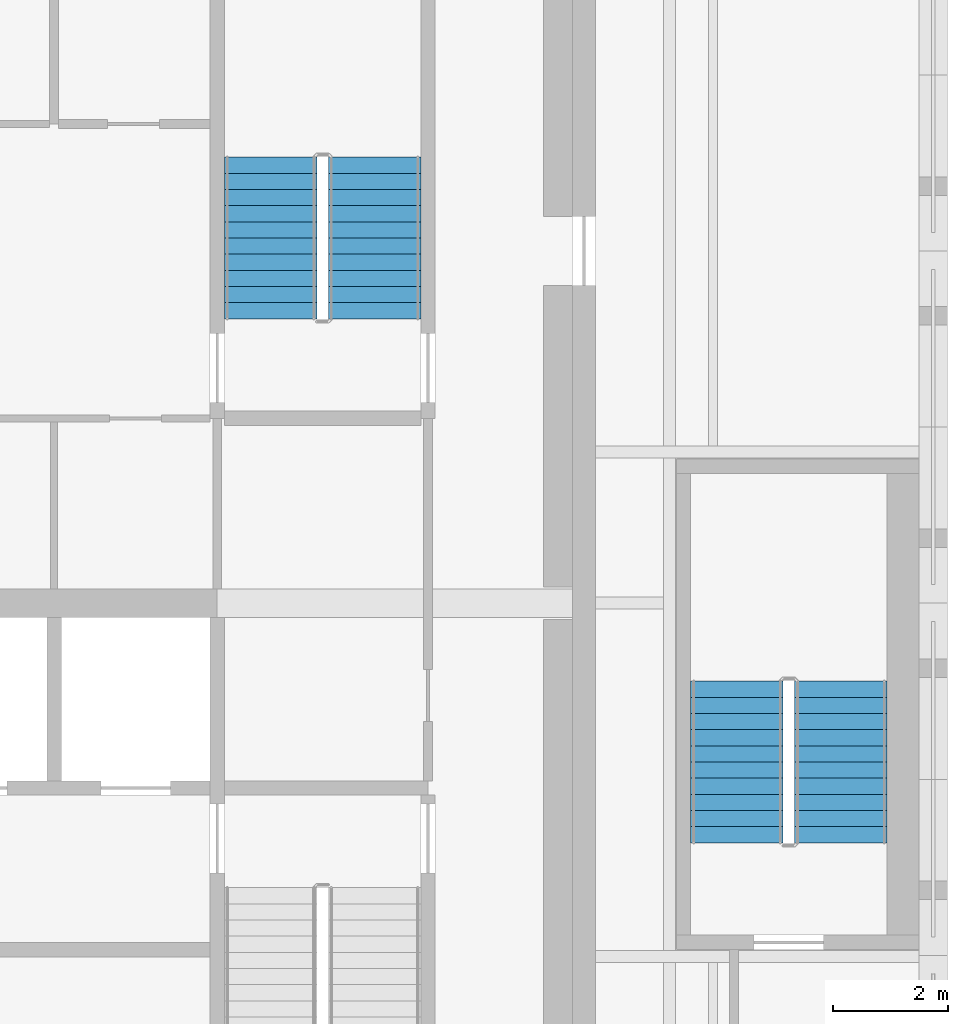
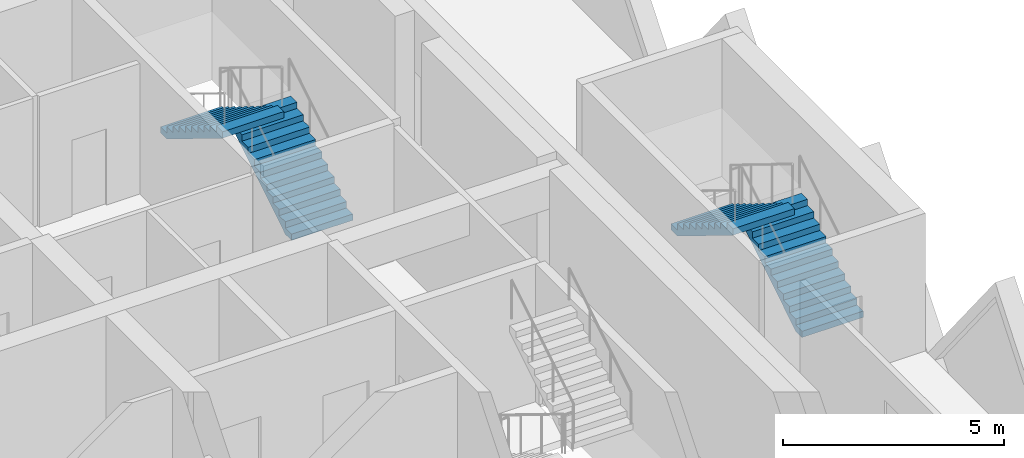
# One storey, part 9 of 10: 4 stair flights, 2 elements without a shape of their own.
"""IFC4 building model written with IfcOpenShell, lengths in metres."""

from ifc_helpers import new_model, si_unit, direction, frame, origin, place, context, subcontext, project, spatial, polyline, outline, extrude, material, type_object, element, aggregate, save


model = new_model("IFC4")

# Units and contexts
model_context = context("Model", 3, precision=1e-05, world=origin(), true_north=direction((0.0, 1.0)))
body_context = subcontext(model_context, "Body", "Model", "MODEL_VIEW")
ifc_project = project(units=[si_unit("LENGTHUNIT", "METRE"), si_unit("AREAUNIT", "SQUARE_METRE"), si_unit("VOLUMEUNIT", "CUBIC_METRE"), si_unit("PLANEANGLEUNIT", "RADIAN"), si_unit("MASSUNIT", "GRAM", prefix="KILO")], contexts=[model_context])

# Site, building, storey
site_placement = place(None, origin())
site = spatial("IfcSite", under=ifc_project, at=site_placement, CompositionType="ELEMENT")
building_placement = place(site_placement, origin())
building = spatial("IfcBuilding", under=site, at=building_placement, Name="Tessera Gate Towers", CompositionType="ELEMENT")
storey_placement = place(building_placement, frame((0.0, 0.0, 252.10009765625)))
storey = spatial("IfcBuildingStorey", under=building, at=storey_placement, Name="L63", CompositionType="ELEMENT", Elevation=252.10009765625)

# Stair, stair flights
ifc_material_1 = material(Name="Concrete C40/50", Category="concrete")
stair_type_1 = type_object("IfcStairType", Name="EXIT STAIR ST2 1600", PredefinedType="HALF_TURN_STAIR", material=ifc_material_1)
stair_1_placement = place(storey_placement, origin())
stair_1 = element("IfcStair", 1, at=stair_1_placement, inside=storey, type_object=stair_type_1, Name="L63 Protected Exit Stair ST2", PredefinedType="HALF_TURN_STAIR")
ifc_material_2 = material(Name="Concrete C40/50", Category="concrete")
stair_flight_type_1 = type_object("IfcStairFlightType", Name="EXIT STAIR FLIGHT ST2 1600", PredefinedType="STRAIGHT", material=ifc_material_2)
stair_flight_1_placement = place(storey_placement, frame((51.074951171875, 41.52490234375, 0.0), z_axis=(0.0, 0.0, 1.0), x_axis=(0.0, 1.0, 0.0)))
stair_flight_1 = element("IfcStairFlight", 2, at=stair_flight_1_placement, type_object=stair_flight_type_1, Name="ST2 flight 1", NumberOfRisers=11, NumberOfTreads=10, PredefinedType="STRAIGHT", RiserHeight=0.172727273, TreadLength=0.28, context=body_context, shape_type="SweptSolid", body=[
    extrude(outline(polyline([(0.0, 0.0), (0.0, 0.172607421875), (0.280029296875, 0.172607421875), (0.280029296875, 0.345458984375), (0.56005859375, 0.345458984375), (0.56005859375, 0.51806640625), (0.840087890625, 0.51806640625), (0.840087890625, 0.69091796875), (1.1201171875, 0.69091796875), (1.1201171875, 0.863525390625), (1.39990234375, 0.863525390625), (1.39990234375, 1.036376953125), (1.679931640625, 1.036376953125), (1.679931640625, 1.208984375), (1.9599609375, 1.208984375), (1.9599609375, 1.3818359375), (2.239990234375, 1.3818359375), (2.239990234375, 1.554443359375), (2.52001953125, 1.554443359375), (2.52001953125, 1.727294921875), (2.800048828125, 1.727294921875), (2.800048828125, 1.89990234375), (2.800048828125, 1.551025390625), (0.285400390625, 0.0), (0.0, 0.0)])), frame((0.0, 0.800048828125, 0.0), z_axis=(0.0, -1.0, 0.0), x_axis=(1.0, 0.0, 0.0)), (0.0, 0.0, 1.0), 1.60009765625),
])
stair_flight_2_placement = place(storey_placement, frame((49.27490234375, 44.324951171875, 1.89990234375), z_axis=(0.0, 0.0, 1.0), x_axis=(0.0, -1.0, 0.0)))
stair_flight_2 = element("IfcStairFlight", 3, at=stair_flight_2_placement, type_object=stair_flight_type_1, Name="ST2 flight 2", NumberOfRisers=11, NumberOfTreads=10, PredefinedType="STRAIGHT", RiserHeight=0.172727273, TreadLength=0.28, context=body_context, shape_type="SweptSolid", body=[
    extrude(outline(polyline([(0.0, 0.0), (0.0, 0.172607421875), (0.280029296875, 0.172607421875), (0.280029296875, 0.345458984375), (0.56005859375, 0.345458984375), (0.56005859375, 0.51806640625), (0.840087890625, 0.51806640625), (0.840087890625, 0.69091796875), (1.1201171875, 0.69091796875), (1.1201171875, 0.863525390625), (1.39990234375, 0.863525390625), (1.39990234375, 1.036376953125), (1.679931640625, 1.036376953125), (1.679931640625, 1.208984375), (1.9599609375, 1.208984375), (1.9599609375, 1.3818359375), (2.239990234375, 1.3818359375), (2.239990234375, 1.554443359375), (2.52001953125, 1.554443359375), (2.52001953125, 1.727294921875), (2.800048828125, 1.727294921875), (2.800048828125, 1.89990234375), (2.800048828125, 1.551025390625), (0.285400390625, 0.0), (0.0, 0.0)])), frame((0.0, 0.800048828125, 0.0), z_axis=(0.0, -1.0, 0.0), x_axis=(1.0, 0.0, 0.0)), (0.0, 0.0, 1.0), 1.60009765625),
])
aggregate(stair_1, [stair_flight_1, stair_flight_2])

ifc_material_3 = material(Name="Concrete C40/50", Category="concrete")
stair_type_2 = type_object("IfcStairType", Name="EXIT STAIR ST5 1600", PredefinedType="HALF_TURN_STAIR", material=ifc_material_3)
stair_2_placement = place(storey_placement, origin())
stair_2 = element("IfcStair", 4, at=stair_2_placement, inside=storey, type_object=stair_type_2, Name="L63 East Exit Stair ST5", PredefinedType="HALF_TURN_STAIR")
ifc_material_4 = material(Name="Concrete C40/50", Category="concrete")
stair_flight_type_2 = type_object("IfcStairFlightType", Name="EXIT STAIR FLIGHT ST5 1600", PredefinedType="STRAIGHT", material=ifc_material_4)
stair_flight_3_placement = place(storey_placement, frame((59.14990234375, 32.449951171875, 0.0), z_axis=(0.0, 0.0, 1.0), x_axis=(0.0, 1.0, 0.0)))
stair_flight_3 = element("IfcStairFlight", 5, at=stair_flight_3_placement, type_object=stair_flight_type_2, Name="ST5 flight 1", NumberOfRisers=11, NumberOfTreads=10, PredefinedType="STRAIGHT", RiserHeight=0.172727273, TreadLength=0.28, context=body_context, shape_type="SweptSolid", body=[
    extrude(outline(polyline([(0.0, 0.0), (0.0, 0.172607421875), (0.280029296875, 0.172607421875), (0.280029296875, 0.345458984375), (0.56005859375, 0.345458984375), (0.56005859375, 0.51806640625), (0.840087890625, 0.51806640625), (0.840087890625, 0.69091796875), (1.1201171875, 0.69091796875), (1.1201171875, 0.863525390625), (1.39990234375, 0.863525390625), (1.39990234375, 1.036376953125), (1.679931640625, 1.036376953125), (1.679931640625, 1.208984375), (1.9599609375, 1.208984375), (1.9599609375, 1.3818359375), (2.239990234375, 1.3818359375), (2.239990234375, 1.554443359375), (2.52001953125, 1.554443359375), (2.52001953125, 1.727294921875), (2.800048828125, 1.727294921875), (2.800048828125, 1.89990234375), (2.800048828125, 1.551025390625), (0.285400390625, 0.0), (0.0, 0.0)])), frame((0.0, 0.800048828125, 0.0), z_axis=(0.0, -1.0, 0.0), x_axis=(1.0, 0.0, 0.0)), (0.0, 0.0, 1.0), 1.60009765625),
])
stair_flight_4_placement = place(storey_placement, frame((57.35009765625, 35.25, 1.89990234375), z_axis=(0.0, 0.0, 1.0), x_axis=(0.0, -1.0, 0.0)))
stair_flight_4 = element("IfcStairFlight", 6, at=stair_flight_4_placement, type_object=stair_flight_type_2, Name="ST5 flight 2", NumberOfRisers=11, NumberOfTreads=10, PredefinedType="STRAIGHT", RiserHeight=0.172727273, TreadLength=0.28, context=body_context, shape_type="SweptSolid", body=[
    extrude(outline(polyline([(0.0, 0.0), (0.0, 0.172607421875), (0.280029296875, 0.172607421875), (0.280029296875, 0.345458984375), (0.56005859375, 0.345458984375), (0.56005859375, 0.51806640625), (0.840087890625, 0.51806640625), (0.840087890625, 0.69091796875), (1.1201171875, 0.69091796875), (1.1201171875, 0.863525390625), (1.39990234375, 0.863525390625), (1.39990234375, 1.036376953125), (1.679931640625, 1.036376953125), (1.679931640625, 1.208984375), (1.9599609375, 1.208984375), (1.9599609375, 1.3818359375), (2.239990234375, 1.3818359375), (2.239990234375, 1.554443359375), (2.52001953125, 1.554443359375), (2.52001953125, 1.727294921875), (2.800048828125, 1.727294921875), (2.800048828125, 1.89990234375), (2.800048828125, 1.551025390625), (0.285400390625, 0.0), (0.0, 0.0)])), frame((0.0, 0.800048828125, 0.0), z_axis=(0.0, -1.0, 0.0), x_axis=(1.0, 0.0, 0.0)), (0.0, 0.0, 1.0), 1.60009765625),
])
aggregate(stair_2, [stair_flight_3, stair_flight_4])

save(model, "model.ifc")
